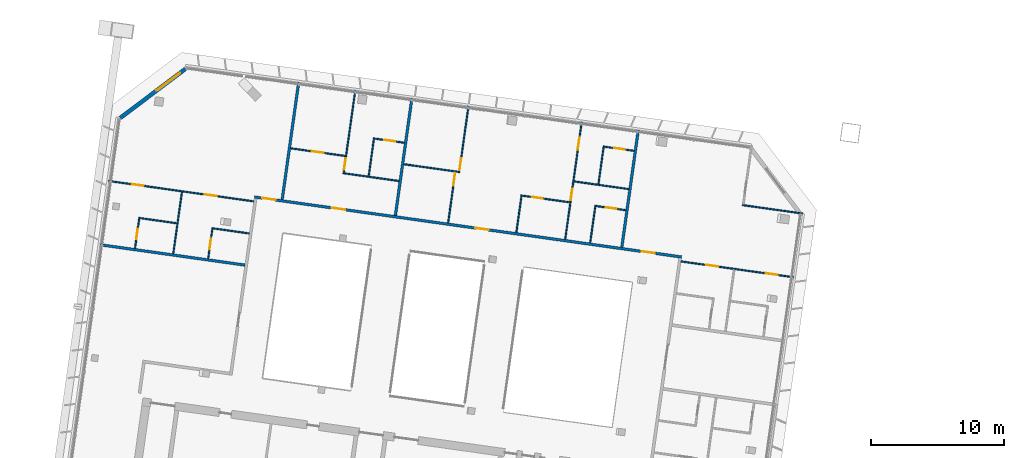
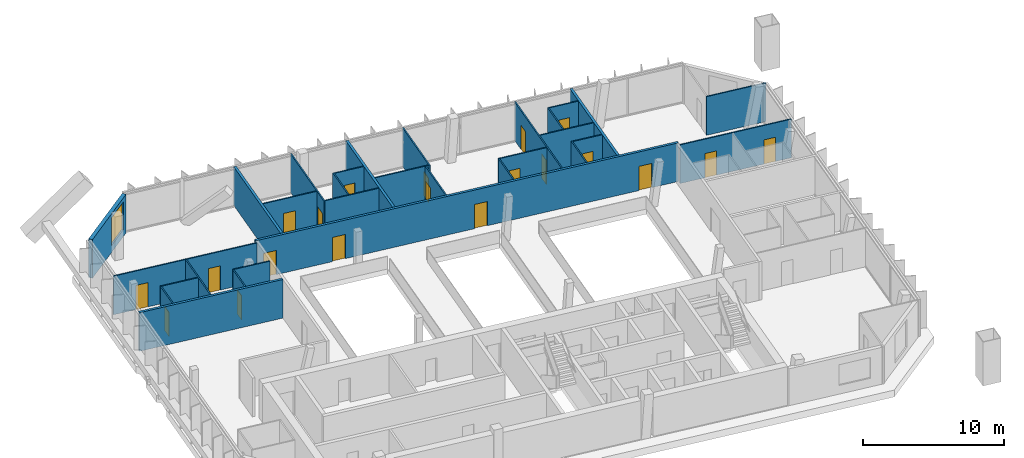
# One storey, part 17 of 26: 30 walls, 20 doors, 1 window, 21 openings.
"""IFC4 building model written with IfcOpenShell, lengths in metres."""

from ifc_helpers import new_model, si_unit, direction, frame, frame_2d, origin, place, context, subcontext, project, spatial, rectangle, extrude, material, layer, layer_set, type_object, element, fill, save


model = new_model("IFC4")

# Units and contexts
model_context = context("Model", 3, precision=1e-05, world=origin(), true_north=direction((0.0, 1.0)))
body_context = subcontext(model_context, "Body", "Model", "MODEL_VIEW")
ifc_project = project(units=[si_unit("LENGTHUNIT", "METRE"), si_unit("AREAUNIT", "SQUARE_METRE"), si_unit("VOLUMEUNIT", "CUBIC_METRE"), si_unit("PLANEANGLEUNIT", "RADIAN"), si_unit("MASSUNIT", "GRAM", prefix="KILO")], contexts=[model_context])

# Site, building, storey
site_placement = place(None, origin())
site = spatial("IfcSite", under=ifc_project, at=site_placement, CompositionType="ELEMENT")
building_placement = place(site_placement, origin())
building = spatial("IfcBuilding", under=site, at=building_placement, Name="Mirante Cascada Hotel Towers", CompositionType="ELEMENT")
storey_placement = place(building_placement, frame((0.0, 0.0, 228.0)))
storey = spatial("IfcBuildingStorey", under=building, at=storey_placement, Name="L54", CompositionType="ELEMENT", Elevation=228.0)

# Wall
ifc_material_1 = material(Name="Fire-rated plasterboard on metal studs")
ifc_layer_1 = layer(ifc_material_1, 0.2)
ifc_layer_set_1 = layer_set([ifc_layer_1], Name="Compartment wall 200 EI 120")
wall_type_1 = type_object("IfcWallType", Name="Compartment wall 200 EI 120", PredefinedType="PARTITIONING", material=ifc_layer_set_1)
wall_1_placement = place(storey_placement, frame((-62.9964, 7.5181, 0.0), z_axis=(0.0, 0.0, 1.0), x_axis=(-0.990267, 0.139181, 0.0)))
element("IfcWall", 1, at=wall_1_placement, inside=storey, type_object=wall_type_1, Name="Wall 1-L54-11", PredefinedType="PARTITIONING", context=body_context, shape_type="SweptSolid", body=[
    extrude(rectangle(XDim=11.0001, YDim=0.2, at=frame_2d((5.5, 0.0))), origin(), (0.0, 0.0, 1.0), 3.35),
])

# Wall, openings, doors
wall_2_placement = place(storey_placement, frame((-62.2774, 12.6346, 0.0), z_axis=(0.0, 0.0, 1.0), x_axis=(0.9902681, -0.1391728, 0.0)))
wall_2 = element("IfcWall", 2, at=wall_2_placement, inside=storey, type_object=wall_type_1, Name="Wall 1-L54-18", PredefinedType="PARTITIONING", context=body_context, shape_type="SweptSolid", body=[
    extrude(rectangle(XDim=32.4, YDim=0.2, at=frame_2d((16.2, 0.0))), origin(), (0.0, 0.0, 1.0), 3.35),
])
opening_1_placement = place(wall_2_placement, frame((29.3753, 0.0, 0.0)))
opening_1 = element("IfcOpeningElement", 3, at=opening_1_placement, cuts=wall_2, Name="Opening D1-L54-08", PredefinedType="OPENING", context=body_context, shape_type="SweptSolid", body=[
    extrude(rectangle(XDim=1.0, YDim=2.1, at=frame_2d((0.5, 1.05))), frame((0.0, 0.1, 0.0), z_axis=(0.0, -1.0, 0.0), x_axis=(1.0, 0.0, 0.0)), (0.0, 0.0, 1.0), 0.2),
])
opening_2_placement = place(wall_2_placement, frame((16.763, 0.0, 0.0)))
opening_2 = element("IfcOpeningElement", 4, at=opening_2_placement, cuts=wall_2, Name="Opening D1-L54-09", PredefinedType="OPENING", context=body_context, shape_type="SweptSolid", body=[
    extrude(rectangle(XDim=1.0, YDim=2.1, at=frame_2d((0.5, 1.05))), frame((0.0, 0.1, 0.0), z_axis=(0.0, -1.0, 0.0), x_axis=(1.0, 0.0, 0.0)), (0.0, 0.0, 1.0), 0.2),
])
opening_3_placement = place(wall_2_placement, frame((5.8815, 0.0, 0.0)))
opening_3 = element("IfcOpeningElement", 5, at=opening_3_placement, cuts=wall_2, Name="Opening D1-L54-10", PredefinedType="OPENING", context=body_context, shape_type="SweptSolid", body=[
    extrude(rectangle(XDim=1.0, YDim=2.1, at=frame_2d((0.5, 1.05))), frame((0.0, 0.1, 0.0), z_axis=(0.0, -1.0, 0.0), x_axis=(1.0, 0.0, 0.0)), (0.0, 0.0, 1.0), 0.2),
])
opening_4_placement = place(wall_2_placement, frame((0.5939, 0.0, 0.0)))
opening_4 = element("IfcOpeningElement", 6, at=opening_4_placement, cuts=wall_2, Name="Opening D1-L54-11", PredefinedType="OPENING", context=body_context, shape_type="SweptSolid", body=[
    extrude(rectangle(XDim=1.0, YDim=2.1, at=frame_2d((0.5, 1.05))), frame((0.0, 0.1, 0.0), z_axis=(0.0, -1.0, 0.0), x_axis=(1.0, 0.0, 0.0)), (0.0, 0.0, 1.0), 0.2),
])
ifc_material_2 = material(Name="Fire-rated timber door leaf", Category="wood")
door_type_1 = type_object("IfcDoorType", Name="Entrance door DG1 1000x2100 EI 60", OperationType="SINGLE_SWING_LEFT", PredefinedType="DOOR", material=ifc_material_2)
door_1_placement = place(opening_1_placement, origin())
door_1 = element("IfcDoor", 7, at=door_1_placement, inside=storey, type_object=door_type_1, Name="Door D1-L54-08", OperationType="SINGLE_SWING_LEFT", OverallHeight=2.1, OverallWidth=1.0, PredefinedType="DOOR", context=body_context, shape_type="SweptSolid", body=[
    extrude(rectangle(XDim=1.0, YDim=2.1, at=frame_2d((0.5, 1.05))), frame((0.0, 0.025, 0.0), z_axis=(0.0, -1.0, 0.0), x_axis=(1.0, 0.0, 0.0)), (0.0, 0.0, 1.0), 0.05),
])
fill(opening_1, door_1)
door_2_placement = place(opening_2_placement, origin())
door_2 = element("IfcDoor", 8, at=door_2_placement, inside=storey, type_object=door_type_1, Name="Door D1-L54-09", OperationType="SINGLE_SWING_LEFT", OverallHeight=2.1, OverallWidth=1.0, PredefinedType="DOOR", context=body_context, shape_type="SweptSolid", body=[
    extrude(rectangle(XDim=1.0, YDim=2.1, at=frame_2d((0.5, 1.05))), frame((0.0, 0.025, 0.0), z_axis=(0.0, -1.0, 0.0), x_axis=(1.0, 0.0, 0.0)), (0.0, 0.0, 1.0), 0.05),
])
fill(opening_2, door_2)
door_3_placement = place(opening_3_placement, origin())
door_3 = element("IfcDoor", 9, at=door_3_placement, inside=storey, type_object=door_type_1, Name="Door D1-L54-10", OperationType="SINGLE_SWING_LEFT", OverallHeight=2.1, OverallWidth=1.0, PredefinedType="DOOR", context=body_context, shape_type="SweptSolid", body=[
    extrude(rectangle(XDim=1.0, YDim=2.1, at=frame_2d((0.5, 1.05))), frame((0.0, 0.025, 0.0), z_axis=(0.0, -1.0, 0.0), x_axis=(1.0, 0.0, 0.0)), (0.0, 0.0, 1.0), 0.05),
])
fill(opening_3, door_3)
door_4_placement = place(opening_4_placement, origin())
door_4 = element("IfcDoor", 10, at=door_4_placement, inside=storey, type_object=door_type_1, Name="Door D1-L54-11", OperationType="SINGLE_SWING_LEFT", OverallHeight=2.1, OverallWidth=1.0, PredefinedType="DOOR", context=body_context, shape_type="SweptSolid", body=[
    extrude(rectangle(XDim=1.0, YDim=2.1, at=frame_2d((0.5, 1.05))), frame((0.0, 0.025, 0.0), z_axis=(0.0, -1.0, 0.0), x_axis=(1.0, 0.0, 0.0)), (0.0, 0.0, 1.0), 0.05),
])
fill(opening_4, door_4)

# Walls
for number, where, z_axis, x_axis, name in (
    (11, (-34.6839, 8.8575, 0.0), (0.0, 0.0, 1.0), (0.1391684, 0.9902687, 0.0), "Wall 1-L54-37"),
    (12, (-50.4534, 20.0613, 0.0), (0.0, 0.0, 1.0), (-0.1391794, -0.9902672, 0.0), "Wall 1-L54-44"),
    (13, (-60.1961, 12.443, 0.0), (0.0, 0.0, 1.0), (0.1391794, 0.9902672, 0.0), "Wall 1-L54-47"),
):
    element("IfcWall", number, at=place(storey_placement, frame(where, z_axis=z_axis, x_axis=x_axis)), inside=storey, type_object=wall_type_1, Name=name, PredefinedType="PARTITIONING", context=body_context, shape_type="SweptSolid", body=[
        extrude(rectangle(XDim=8.9, YDim=0.2, at=frame_2d((4.45, 0.0))), origin(), (0.0, 0.0, 1.0), 3.35),
    ])
ifc_material_3 = material(Name="Plasterboard on metal studs")
ifc_layer_2 = layer(ifc_material_3, 0.1)
ifc_layer_set_2 = layer_set([ifc_layer_2], Name="Partition 100")
wall_type_2 = type_object("IfcWallType", Name="Partition 100", PredefinedType="PARTITIONING", material=ifc_layer_set_2)
wall_3_placement = place(storey_placement, frame((-65.4847, 10.2914, 0.0), z_axis=(0.0, 0.0, 1.0), x_axis=(0.9902704, -0.1391564, 0.0)))
element("IfcWall", 14, at=wall_3_placement, inside=storey, type_object=wall_type_2, Name="Wall 1-L54-14", PredefinedType="PARTITIONING", context=body_context, shape_type="SweptSolid", body=[
    extrude(rectangle(XDim=2.85, YDim=0.1, at=frame_2d((1.425, 0.0))), origin(), (0.0, 0.0, 1.0), 3.35),
])
wall_4_placement = place(storey_placement, frame((-68.1089, 10.6602, 0.0), z_axis=(0.0, 0.0, 1.0), x_axis=(-0.9902683, 0.1391714, 0.0)))
element("IfcWall", 15, at=wall_4_placement, inside=storey, type_object=wall_type_2, Name="Wall 1-L54-15", PredefinedType="PARTITIONING", context=body_context, shape_type="SweptSolid", body=[
    extrude(rectangle(XDim=2.9, YDim=0.1, at=frame_2d((1.45, 0.0))), origin(), (0.0, 0.0, 1.0), 3.35),
])

# Wall, openings, doors
wall_5_placement = place(storey_placement, frame((-30.2391, 7.7953, 0.0), z_axis=(0.0, 0.0, 1.0), x_axis=(0.9902681, -0.139173, 0.0)))
wall_5 = element("IfcWall", 16, at=wall_5_placement, inside=storey, type_object=wall_type_2, Name="Wall 1-L54-16", PredefinedType="PARTITIONING", context=body_context, shape_type="SweptSolid", body=[
    extrude(rectangle(XDim=8.5383, YDim=0.1, at=frame_2d((4.2692, 0.0))), origin(), (0.0, 0.0, 1.0), 3.35),
])
opening_5_placement = place(wall_5_placement, frame((6.4287, 0.0, 0.0)))
opening_5 = element("IfcOpeningElement", 17, at=opening_5_placement, cuts=wall_5, Name="Opening D1-L54-04", PredefinedType="OPENING", context=body_context, shape_type="SweptSolid", body=[
    extrude(rectangle(XDim=0.9, YDim=2.1, at=frame_2d((0.45, 1.05))), frame((0.0, 0.05, 0.0), z_axis=(0.0, -1.0, 0.0), x_axis=(1.0, 0.0, 0.0)), (0.0, 0.0, 1.0), 0.1),
])
opening_6_placement = place(wall_5_placement, frame((1.9096, 0.0, 0.0)))
opening_6 = element("IfcOpeningElement", 18, at=opening_6_placement, cuts=wall_5, Name="Opening D1-L54-05", PredefinedType="OPENING", context=body_context, shape_type="SweptSolid", body=[
    extrude(rectangle(XDim=0.9, YDim=2.1, at=frame_2d((0.45, 1.05))), frame((0.0, 0.05, 0.0), z_axis=(0.0, -1.0, 0.0), x_axis=(1.0, 0.0, 0.0)), (0.0, 0.0, 1.0), 0.1),
])
ifc_material_4 = material(Name="Timber door leaf", Category="wood")
door_type_2 = type_object("IfcDoorType", Name="Room door DG3 900x2100", OperationType="SINGLE_SWING_LEFT", PredefinedType="DOOR", material=ifc_material_4)
door_5_placement = place(opening_5_placement, origin())
door_5 = element("IfcDoor", 19, at=door_5_placement, inside=storey, type_object=door_type_2, Name="Door D1-L54-04", OperationType="SINGLE_SWING_LEFT", OverallHeight=2.1, OverallWidth=0.9, PredefinedType="DOOR", context=body_context, shape_type="SweptSolid", body=[
    extrude(rectangle(XDim=0.9, YDim=2.1, at=frame_2d((0.45, 1.05))), frame((0.0, 0.025, 0.0), z_axis=(0.0, -1.0, 0.0), x_axis=(1.0, 0.0, 0.0)), (0.0, 0.0, 1.0), 0.05),
])
fill(opening_5, door_5)
door_6_placement = place(opening_6_placement, origin())
door_6 = element("IfcDoor", 20, at=door_6_placement, inside=storey, type_object=door_type_2, Name="Door D1-L54-05", OperationType="SINGLE_SWING_LEFT", OverallHeight=2.1, OverallWidth=0.9, PredefinedType="DOOR", context=body_context, shape_type="SweptSolid", body=[
    extrude(rectangle(XDim=0.9, YDim=2.1, at=frame_2d((0.45, 1.05))), frame((0.0, 0.025, 0.0), z_axis=(0.0, -1.0, 0.0), x_axis=(1.0, 0.0, 0.0)), (0.0, 0.0, 1.0), 0.05),
])
fill(opening_6, door_6)

wall_6_placement = place(storey_placement, frame((-62.3238, 12.3045, 0.0), z_axis=(0.0, 0.0, 1.0), x_axis=(-0.990268, 0.1391733, 0.0)))
wall_6 = element("IfcWall", 21, at=wall_6_placement, inside=storey, type_object=wall_type_2, Name="Wall 1-L54-17", PredefinedType="PARTITIONING", context=body_context, shape_type="SweptSolid", body=[
    extrude(rectangle(XDim=11.0, YDim=0.1, at=frame_2d((5.5, 0.0))), origin(), (0.0, 0.0, 1.0), 3.35),
])
opening_7_placement = place(wall_6_placement, frame((2.825, 0.0, 0.0)))
opening_7 = element("IfcOpeningElement", 22, at=opening_7_placement, cuts=wall_6, Name="Opening D1-L54-06", PredefinedType="OPENING", context=body_context, shape_type="SweptSolid", body=[
    extrude(rectangle(XDim=0.9, YDim=2.1, at=frame_2d((0.45, 1.05))), frame((0.0, 0.05, 0.0), z_axis=(0.0, -1.0, 0.0), x_axis=(1.0, 0.0, 0.0)), (0.0, 0.0, 1.0), 0.1),
])
opening_8_placement = place(wall_6_placement, frame((8.375, 0.0, 0.0)))
opening_8 = element("IfcOpeningElement", 23, at=opening_8_placement, cuts=wall_6, Name="Opening D1-L54-07", PredefinedType="OPENING", context=body_context, shape_type="SweptSolid", body=[
    extrude(rectangle(XDim=0.9, YDim=2.1, at=frame_2d((0.45, 1.05))), frame((0.0, 0.05, 0.0), z_axis=(0.0, -1.0, 0.0), x_axis=(1.0, 0.0, 0.0)), (0.0, 0.0, 1.0), 0.1),
])
door_7_placement = place(opening_7_placement, frame((0.9, 0.0, 0.0), z_axis=(0.0, 0.0, 1.0), x_axis=(-1.0, 0.0, 0.0)))
door_7 = element("IfcDoor", 24, at=door_7_placement, inside=storey, type_object=door_type_2, Name="Door D1-L54-06", OperationType="SINGLE_SWING_RIGHT", OverallHeight=2.1, OverallWidth=0.9, PredefinedType="DOOR", context=body_context, shape_type="SweptSolid", body=[
    extrude(rectangle(XDim=0.9, YDim=2.1, at=frame_2d((0.45, 1.05))), frame((0.0, 0.025, 0.0), z_axis=(0.0, -1.0, 0.0), x_axis=(1.0, 0.0, 0.0)), (0.0, 0.0, 1.0), 0.05),
])
fill(opening_7, door_7)
door_8_placement = place(opening_8_placement, frame((0.9, 0.0, 0.0), z_axis=(0.0, 0.0, 1.0), x_axis=(-1.0, 0.0, 0.0)))
door_8 = element("IfcDoor", 25, at=door_8_placement, inside=storey, type_object=door_type_2, Name="Door D1-L54-07", OperationType="SINGLE_SWING_RIGHT", OverallHeight=2.1, OverallWidth=0.9, PredefinedType="DOOR", context=body_context, shape_type="SweptSolid", body=[
    extrude(rectangle(XDim=0.9, YDim=2.1, at=frame_2d((0.45, 1.05))), frame((0.0, 0.025, 0.0), z_axis=(0.0, -1.0, 0.0), x_axis=(1.0, 0.0, 0.0)), (0.0, 0.0, 1.0), 0.05),
])
fill(opening_8, door_8)

# Wall
wall_7_placement = place(storey_placement, frame((-51.4292, 13.8365, 0.0), z_axis=(0.0, 0.0, 1.0), x_axis=(-0.9902684, 0.1391709, 0.0)))
element("IfcWall", 26, at=wall_7_placement, inside=storey, type_object=wall_type_2, Name="Wall 1-L54-19", PredefinedType="PARTITIONING", context=body_context, shape_type="SweptSolid", body=[
    extrude(rectangle(XDim=4.1438, YDim=0.1, at=frame_2d((2.0719, 0.0))), origin(), (0.0, 0.0, 1.0), 3.35),
])

# Wall, opening, door
wall_8_placement = place(storey_placement, frame((-36.6214, 11.9573, 0.0), z_axis=(0.0, 0.0, 1.0), x_axis=(0.9902713, -0.13915, 0.0)))
wall_8 = element("IfcWall", 27, at=wall_8_placement, inside=storey, type_object=wall_type_2, Name="Wall 1-L54-20", PredefinedType="PARTITIONING", context=body_context, shape_type="SweptSolid", body=[
    extrude(rectangle(XDim=2.2501, YDim=0.1, at=frame_2d((1.1251, 0.0))), origin(), (0.0, 0.0, 1.0), 3.35),
])
opening_9_placement = place(wall_8_placement, frame((0.75, 0.0, 0.0)))
opening_9 = element("IfcOpeningElement", 28, at=opening_9_placement, cuts=wall_8, Name="Opening D1-L54-12", PredefinedType="OPENING", context=body_context, shape_type="SweptSolid", body=[
    extrude(rectangle(XDim=0.8, YDim=2.1, at=frame_2d((0.4, 1.05))), frame((0.0, 0.05, 0.0), z_axis=(0.0, -1.0, 0.0), x_axis=(1.0, 0.0, 0.0)), (0.0, 0.0, 1.0), 0.1),
])
ifc_material_5 = material(Name="Timber door leaf", Category="wood")
door_type_3 = type_object("IfcDoorType", Name="Bathroom door DG4 800x2100", OperationType="SINGLE_SWING_LEFT", PredefinedType="DOOR", material=ifc_material_5)
door_9_placement = place(opening_9_placement, frame((0.8, 0.0, 0.0), z_axis=(0.0, 0.0, 1.0), x_axis=(-1.0, 0.0, 0.0)))
door_9 = element("IfcDoor", 29, at=door_9_placement, inside=storey, type_object=door_type_3, Name="Door D1-L54-12", OperationType="SINGLE_SWING_RIGHT", OverallHeight=2.1, OverallWidth=0.8, PredefinedType="DOOR", context=body_context, shape_type="SweptSolid", body=[
    extrude(rectangle(XDim=0.8, YDim=2.1, at=frame_2d((0.4, 1.05))), frame((0.0, 0.025, 0.0), z_axis=(0.0, -1.0, 0.0), x_axis=(1.0, 0.0, 0.0)), (0.0, 0.0, 1.0), 0.05),
])
fill(opening_9, door_9)

wall_9_placement = place(storey_placement, frame((-38.5957, 12.2348, 0.0), z_axis=(0.0, 0.0, 1.0), x_axis=(-0.9902686, 0.1391697, 0.0)))
wall_9 = element("IfcWall", 30, at=wall_9_placement, inside=storey, type_object=wall_type_2, Name="Wall 1-L54-21", PredefinedType="PARTITIONING", context=body_context, shape_type="SweptSolid", body=[
    extrude(rectangle(XDim=3.7063, YDim=0.1, at=frame_2d((1.8532, 0.0))), origin(), (0.0, 0.0, 1.0), 3.35),
])
opening_10_placement = place(wall_9_placement, frame((2.0562, 0.0, 0.0)))
opening_10 = element("IfcOpeningElement", 31, at=opening_10_placement, cuts=wall_9, Name="Opening D1-L54-13", PredefinedType="OPENING", context=body_context, shape_type="SweptSolid", body=[
    extrude(rectangle(XDim=0.8, YDim=2.1, at=frame_2d((0.4, 1.05))), frame((0.0, 0.05, 0.0), z_axis=(0.0, -1.0, 0.0), x_axis=(1.0, 0.0, 0.0)), (0.0, 0.0, 1.0), 0.1),
])
door_10_placement = place(opening_10_placement, frame((0.8, 0.0, 0.0), z_axis=(0.0, 0.0, 1.0), x_axis=(-1.0, 0.0, 0.0)))
door_10 = element("IfcDoor", 32, at=door_10_placement, inside=storey, type_object=door_type_3, Name="Door D1-L54-13", OperationType="SINGLE_SWING_RIGHT", OverallHeight=2.1, OverallWidth=0.8, PredefinedType="DOOR", context=body_context, shape_type="SweptSolid", body=[
    extrude(rectangle(XDim=0.8, YDim=2.1, at=frame_2d((0.4, 1.05))), frame((0.0, 0.025, 0.0), z_axis=(0.0, -1.0, 0.0), x_axis=(1.0, 0.0, 0.0)), (0.0, 0.0, 1.0), 0.05),
])
fill(opening_10, door_10)

# Wall
wall_10_placement = place(storey_placement, frame((-51.0503, 15.096, 0.0), z_axis=(0.0, 0.0, 1.0), x_axis=(0.9902684, -0.1391709, 0.0)))
element("IfcWall", 33, at=wall_10_placement, inside=storey, type_object=wall_type_2, Name="Wall 1-L54-22", PredefinedType="PARTITIONING", context=body_context, shape_type="SweptSolid", body=[
    extrude(rectangle(XDim=4.1438, YDim=0.1, at=frame_2d((2.0719, 0.0))), origin(), (0.0, 0.0, 1.0), 3.35),
])

# Wall, opening, door
wall_11_placement = place(storey_placement, frame((-55.4508, 15.7145, 0.0), z_axis=(0.0, 0.0, 1.0), x_axis=(-0.9902684, 0.1391709, 0.0)))
wall_11 = element("IfcWall", 34, at=wall_11_placement, inside=storey, type_object=wall_type_2, Name="Wall 1-L54-23", PredefinedType="PARTITIONING", context=body_context, shape_type="SweptSolid", body=[
    extrude(rectangle(XDim=4.1438, YDim=0.1, at=frame_2d((2.0719, 0.0))), origin(), (0.0, 0.0, 1.0), 3.35),
])
opening_11_placement = place(wall_11_placement, frame((1.6469, 0.0, 0.0)))
opening_11 = element("IfcOpeningElement", 35, at=opening_11_placement, cuts=wall_11, Name="Opening D1-L54-14", PredefinedType="OPENING", context=body_context, shape_type="SweptSolid", body=[
    extrude(rectangle(XDim=0.9, YDim=2.1, at=frame_2d((0.45, 1.05))), frame((0.0, 0.05, 0.0), z_axis=(0.0, -1.0, 0.0), x_axis=(1.0, 0.0, 0.0)), (0.0, 0.0, 1.0), 0.1),
])
door_11_placement = place(opening_11_placement, origin())
door_11 = element("IfcDoor", 36, at=door_11_placement, inside=storey, type_object=door_type_2, Name="Door D1-L54-14", OperationType="SINGLE_SWING_LEFT", OverallHeight=2.1, OverallWidth=0.9, PredefinedType="DOOR", context=body_context, shape_type="SweptSolid", body=[
    extrude(rectangle(XDim=0.9, YDim=2.1, at=frame_2d((0.45, 1.05))), frame((0.0, 0.025, 0.0), z_axis=(0.0, -1.0, 0.0), x_axis=(1.0, 0.0, 0.0)), (0.0, 0.0, 1.0), 0.05),
])
fill(opening_11, door_11)

# Walls
wall_12_placement = place(storey_placement, frame((-25.6169, 12.0265, 0.0), z_axis=(0.0, 0.0, 1.0), x_axis=(0.9902691, -0.1391656, 0.0)))
element("IfcWall", 37, at=wall_12_placement, inside=storey, type_object=wall_type_2, Name="Wall 1-L54-24", PredefinedType="PARTITIONING", context=body_context, shape_type="SweptSolid", body=[
    extrude(rectangle(XDim=4.55, YDim=0.1, at=frame_2d((2.275, 0.0))), origin(), (0.0, 0.0, 1.0), 3.35),
])
wall_13_placement = place(storey_placement, frame((-34.1706, 13.2286, 0.0), z_axis=(0.0, 0.0, 1.0), x_axis=(-0.9902679, 0.1391742, 0.0)))
element("IfcWall", 38, at=wall_13_placement, inside=storey, type_object=wall_type_2, Name="Wall 1-L54-25", PredefinedType="PARTITIONING", context=body_context, shape_type="SweptSolid", body=[
    extrude(rectangle(XDim=4.1437, YDim=0.1, at=frame_2d((2.0718, 0.0))), origin(), (0.0, 0.0, 1.0), 3.35),
])

# Wall, opening, door
wall_14_placement = place(storey_placement, frame((-53.2537, 17.0214, 0.0), z_axis=(0.0, 0.0, 1.0), x_axis=(0.9902705, -0.1391561, 0.0)))
wall_14 = element("IfcWall", 39, at=wall_14_placement, inside=storey, type_object=wall_type_2, Name="Wall 1-L54-26", PredefinedType="PARTITIONING", context=body_context, shape_type="SweptSolid", body=[
    extrude(rectangle(XDim=2.25, YDim=0.1, at=frame_2d((1.125, 0.0))), origin(), (0.0, 0.0, 1.0), 3.35),
])
opening_12_placement = place(wall_14_placement, frame((0.75, 0.0, 0.0)))
opening_12 = element("IfcOpeningElement", 40, at=opening_12_placement, cuts=wall_14, Name="Opening D1-L54-15", PredefinedType="OPENING", context=body_context, shape_type="SweptSolid", body=[
    extrude(rectangle(XDim=0.8, YDim=2.1, at=frame_2d((0.4, 1.05))), frame((0.0, 0.05, 0.0), z_axis=(0.0, -1.0, 0.0), x_axis=(1.0, 0.0, 0.0)), (0.0, 0.0, 1.0), 0.1),
])
door_12_placement = place(opening_12_placement, origin())
door_12 = element("IfcDoor", 41, at=door_12_placement, inside=storey, type_object=door_type_3, Name="Door D1-L54-15", OperationType="SINGLE_SWING_LEFT", OverallHeight=2.1, OverallWidth=0.8, PredefinedType="DOOR", context=body_context, shape_type="SweptSolid", body=[
    extrude(rectangle(XDim=0.8, YDim=2.1, at=frame_2d((0.4, 1.05))), frame((0.0, 0.025, 0.0), z_axis=(0.0, -1.0, 0.0), x_axis=(1.0, 0.0, 0.0)), (0.0, 0.0, 1.0), 0.05),
])
fill(opening_12, door_12)

wall_15_placement = place(storey_placement, frame((-33.767, 16.1004, 0.0), z_axis=(0.0, 0.0, 1.0), x_axis=(-0.9902643, 0.1391997, 0.0)))
wall_15 = element("IfcWall", 42, at=wall_15_placement, inside=storey, type_object=wall_type_2, Name="Wall 1-L54-27", PredefinedType="PARTITIONING", context=body_context, shape_type="SweptSolid", body=[
    extrude(rectangle(XDim=2.25, YDim=0.1, at=frame_2d((1.125, 0.0))), origin(), (0.0, 0.0, 1.0), 3.35),
])
opening_13_placement = place(wall_15_placement, frame((0.7, 0.0, 0.0)))
opening_13 = element("IfcOpeningElement", 43, at=opening_13_placement, cuts=wall_15, Name="Opening D1-L54-16", PredefinedType="OPENING", context=body_context, shape_type="SweptSolid", body=[
    extrude(rectangle(XDim=0.8, YDim=2.1, at=frame_2d((0.4, 1.05))), frame((0.0, 0.05, 0.0), z_axis=(0.0, -1.0, 0.0), x_axis=(1.0, 0.0, 0.0)), (0.0, 0.0, 1.0), 0.1),
])
door_13_placement = place(opening_13_placement, origin())
door_13 = element("IfcDoor", 44, at=door_13_placement, inside=storey, type_object=door_type_3, Name="Door D1-L54-16", OperationType="SINGLE_SWING_LEFT", OverallHeight=2.1, OverallWidth=0.8, PredefinedType="DOOR", context=body_context, shape_type="SweptSolid", body=[
    extrude(rectangle(XDim=0.8, YDim=2.1, at=frame_2d((0.4, 1.05))), frame((0.0, 0.025, 0.0), z_axis=(0.0, -1.0, 0.0), x_axis=(1.0, 0.0, 0.0)), (0.0, 0.0, 1.0), 0.05),
])
fill(opening_13, door_13)

# Walls
wall_16_placement = place(storey_placement, frame((-36.6639, 12.0138, 0.0), z_axis=(0.0, 0.0, 1.0), x_axis=(-0.1391613, -0.9902697, 0.0)))
element("IfcWall", 45, at=wall_16_placement, inside=storey, type_object=wall_type_2, Name="Wall 1-L54-38", PredefinedType="PARTITIONING", context=body_context, shape_type="SweptSolid", body=[
    extrude(rectangle(XDim=2.8499, YDim=0.1, at=frame_2d((1.425, 0.0))), origin(), (0.0, 0.0, 1.0), 3.35),
])
wall_17_placement = place(storey_placement, frame((-36.4412, 13.5982, 0.0), z_axis=(0.0, 0.0, 1.0), x_axis=(0.1391714, 0.9902683, 0.0)))
element("IfcWall", 46, at=wall_17_placement, inside=storey, type_object=wall_type_2, Name="Wall 1-L54-39", PredefinedType="PARTITIONING", context=body_context, shape_type="SweptSolid", body=[
    extrude(rectangle(XDim=2.9, YDim=0.1, at=frame_2d((1.45, 0.0))), origin(), (0.0, 0.0, 1.0), 3.35),
])

# Wall, openings, doors
wall_18_placement = place(storey_placement, frame((-37.6973, 18.2685, 0.0), z_axis=(0.0, 0.0, 1.0), x_axis=(-0.1391684, -0.9902687, 0.0)))
wall_18 = element("IfcWall", 47, at=wall_18_placement, inside=storey, type_object=wall_type_2, Name="Wall 1-L54-40", PredefinedType="PARTITIONING", context=body_context, shape_type="SweptSolid", body=[
    extrude(rectangle(XDim=8.9, YDim=0.1, at=frame_2d((4.45, 0.0))), origin(), (0.0, 0.0, 1.0), 3.35),
])
opening_14_placement = place(wall_18_placement, frame((5.05, 0.0, 0.0)))
opening_14 = element("IfcOpeningElement", 48, at=opening_14_placement, cuts=wall_18, Name="Opening D1-L54-24", PredefinedType="OPENING", context=body_context, shape_type="SweptSolid", body=[
    extrude(rectangle(XDim=0.9, YDim=2.1, at=frame_2d((0.45, 1.05))), frame((0.0, 0.05, 0.0), z_axis=(0.0, -1.0, 0.0), x_axis=(1.0, 0.0, 0.0)), (0.0, 0.0, 1.0), 0.1),
])
opening_15_placement = place(wall_18_placement, frame((1.2, 0.0, 0.0)))
opening_15 = element("IfcOpeningElement", 49, at=opening_15_placement, cuts=wall_18, Name="Opening D1-L54-25", PredefinedType="OPENING", context=body_context, shape_type="SweptSolid", body=[
    extrude(rectangle(XDim=0.9, YDim=2.1, at=frame_2d((0.45, 1.05))), frame((0.0, 0.05, 0.0), z_axis=(0.0, -1.0, 0.0), x_axis=(1.0, 0.0, 0.0)), (0.0, 0.0, 1.0), 0.1),
])
door_14_placement = place(opening_14_placement, frame((0.9, 0.0, 0.0), z_axis=(0.0, 0.0, 1.0), x_axis=(-1.0, 0.0, 0.0)))
door_14 = element("IfcDoor", 50, at=door_14_placement, inside=storey, type_object=door_type_2, Name="Door D1-L54-24", OperationType="SINGLE_SWING_RIGHT", OverallHeight=2.1, OverallWidth=0.9, PredefinedType="DOOR", context=body_context, shape_type="SweptSolid", body=[
    extrude(rectangle(XDim=0.9, YDim=2.1, at=frame_2d((0.45, 1.05))), frame((0.0, 0.025, 0.0), z_axis=(0.0, -1.0, 0.0), x_axis=(1.0, 0.0, 0.0)), (0.0, 0.0, 1.0), 0.05),
])
fill(opening_14, door_14)
door_15_placement = place(opening_15_placement, frame((0.9, 0.0, 0.0), z_axis=(0.0, 0.0, 1.0), x_axis=(-1.0, 0.0, 0.0)))
door_15 = element("IfcDoor", 51, at=door_15_placement, inside=storey, type_object=door_type_2, Name="Door D1-L54-25", OperationType="SINGLE_SWING_RIGHT", OverallHeight=2.1, OverallWidth=0.9, PredefinedType="DOOR", context=body_context, shape_type="SweptSolid", body=[
    extrude(rectangle(XDim=0.9, YDim=2.1, at=frame_2d((0.45, 1.05))), frame((0.0, 0.025, 0.0), z_axis=(0.0, -1.0, 0.0), x_axis=(1.0, 0.0, 0.0)), (0.0, 0.0, 1.0), 0.05),
])
fill(opening_15, door_15)

# Wall
wall_19_placement = place(storey_placement, frame((-42.6061, 9.9709, 0.0), z_axis=(0.0, 0.0, 1.0), x_axis=(0.1391963, 0.9902648, 0.0)))
element("IfcWall", 52, at=wall_19_placement, inside=storey, type_object=wall_type_2, Name="Wall 1-L54-41", PredefinedType="PARTITIONING", context=body_context, shape_type="SweptSolid", body=[
    extrude(rectangle(XDim=2.7501, YDim=0.1, at=frame_2d((1.3751, 0.0))), origin(), (0.0, 0.0, 1.0), 3.35),
])

# Wall, opening, door
wall_20_placement = place(storey_placement, frame((-46.2014, 19.4637, 0.0), z_axis=(0.0, 0.0, 1.0), x_axis=(-0.1391671, -0.9902689, 0.0)))
wall_20 = element("IfcWall", 53, at=wall_20_placement, inside=storey, type_object=wall_type_2, Name="Wall 1-L54-42", PredefinedType="PARTITIONING", context=body_context, shape_type="SweptSolid", body=[
    extrude(rectangle(XDim=5.05, YDim=0.1, at=frame_2d((2.525, 0.0))), origin(), (0.0, 0.0, 1.0), 3.35),
])
opening_16_placement = place(wall_20_placement, frame((3.95, 0.0, 0.0)))
opening_16 = element("IfcOpeningElement", 54, at=opening_16_placement, cuts=wall_20, Name="Opening D1-L54-26", PredefinedType="OPENING", context=body_context, shape_type="SweptSolid", body=[
    extrude(rectangle(XDim=0.9, YDim=2.1, at=frame_2d((0.45, 1.05))), frame((0.0, 0.05, 0.0), z_axis=(0.0, -1.0, 0.0), x_axis=(1.0, 0.0, 0.0)), (0.0, 0.0, 1.0), 0.1),
])
door_16_placement = place(opening_16_placement, origin())
door_16 = element("IfcDoor", 55, at=door_16_placement, inside=storey, type_object=door_type_2, Name="Door D1-L54-26", OperationType="SINGLE_SWING_LEFT", OverallHeight=2.1, OverallWidth=0.9, PredefinedType="DOOR", context=body_context, shape_type="SweptSolid", body=[
    extrude(rectangle(XDim=0.9, YDim=2.1, at=frame_2d((0.45, 1.05))), frame((0.0, 0.025, 0.0), z_axis=(0.0, -1.0, 0.0), x_axis=(1.0, 0.0, 0.0)), (0.0, 0.0, 1.0), 0.05),
])
fill(opening_16, door_16)

wall_21_placement = place(storey_placement, frame((-47.731, 10.6912, 0.0), z_axis=(0.0, 0.0, 1.0), x_axis=(0.1391701, 0.9902685, 0.0)))
wall_21 = element("IfcWall", 56, at=wall_21_placement, inside=storey, type_object=wall_type_2, Name="Wall 1-L54-43", PredefinedType="PARTITIONING", context=body_context, shape_type="SweptSolid", body=[
    extrude(rectangle(XDim=3.85, YDim=0.1, at=frame_2d((1.925, 0.0))), origin(), (0.0, 0.0, 1.0), 3.35),
])
opening_17_placement = place(wall_21_placement, frame((2.85, 0.0, 0.0)))
opening_17 = element("IfcOpeningElement", 57, at=opening_17_placement, cuts=wall_21, Name="Opening D1-L54-27", PredefinedType="OPENING", context=body_context, shape_type="SweptSolid", body=[
    extrude(rectangle(XDim=0.9, YDim=2.1, at=frame_2d((0.45, 1.05))), frame((0.0, 0.05, 0.0), z_axis=(0.0, -1.0, 0.0), x_axis=(1.0, 0.0, 0.0)), (0.0, 0.0, 1.0), 0.1),
])
door_17_placement = place(opening_17_placement, frame((0.9, 0.0, 0.0), z_axis=(0.0, 0.0, 1.0), x_axis=(-1.0, 0.0, 0.0)))
door_17 = element("IfcDoor", 58, at=door_17_placement, inside=storey, type_object=door_type_2, Name="Door D1-L54-27", OperationType="SINGLE_SWING_RIGHT", OverallHeight=2.1, OverallWidth=0.9, PredefinedType="DOOR", context=body_context, shape_type="SweptSolid", body=[
    extrude(rectangle(XDim=0.9, YDim=2.1, at=frame_2d((0.45, 1.05))), frame((0.0, 0.025, 0.0), z_axis=(0.0, -1.0, 0.0), x_axis=(1.0, 0.0, 0.0)), (0.0, 0.0, 1.0), 0.05),
])
fill(opening_17, door_17)

# Wall
wall_22_placement = place(storey_placement, frame((-53.6999, 14.2061, 0.0), z_axis=(0.0, 0.0, 1.0), x_axis=(0.1391714, 0.9902683, 0.0)))
element("IfcWall", 59, at=wall_22_placement, inside=storey, type_object=wall_type_2, Name="Wall 1-L54-45", PredefinedType="PARTITIONING", context=body_context, shape_type="SweptSolid", body=[
    extrude(rectangle(XDim=2.9, YDim=0.1, at=frame_2d((1.45, 0.0))), origin(), (0.0, 0.0, 1.0), 3.35),
])

# Wall, opening, door
wall_23_placement = place(storey_placement, frame((-54.7054, 20.6588, 0.0), z_axis=(0.0, 0.0, 1.0), x_axis=(-0.139181, -0.990267, 0.0)))
wall_23 = element("IfcWall", 60, at=wall_23_placement, inside=storey, type_object=wall_type_2, Name="Wall 1-L54-46", PredefinedType="PARTITIONING", context=body_context, shape_type="SweptSolid", body=[
    extrude(rectangle(XDim=6.35, YDim=0.1, at=frame_2d((3.175, 0.0))), origin(), (0.0, 0.0, 1.0), 3.35),
])
opening_18_placement = place(wall_23_placement, frame((5.15, 0.0, 0.0)))
opening_18 = element("IfcOpeningElement", 61, at=opening_18_placement, cuts=wall_23, Name="Opening D1-L54-28", PredefinedType="OPENING", context=body_context, shape_type="SweptSolid", body=[
    extrude(rectangle(XDim=0.9, YDim=2.1, at=frame_2d((0.45, 1.05))), frame((0.0, 0.05, 0.0), z_axis=(0.0, -1.0, 0.0), x_axis=(1.0, 0.0, 0.0)), (0.0, 0.0, 1.0), 0.1),
])
door_18_placement = place(opening_18_placement, origin())
door_18 = element("IfcDoor", 62, at=door_18_placement, inside=storey, type_object=door_type_2, Name="Door D1-L54-28", OperationType="SINGLE_SWING_LEFT", OverallHeight=2.1, OverallWidth=0.9, PredefinedType="DOOR", context=body_context, shape_type="SweptSolid", body=[
    extrude(rectangle(XDim=0.9, YDim=2.1, at=frame_2d((0.45, 1.05))), frame((0.0, 0.025, 0.0), z_axis=(0.0, -1.0, 0.0), x_axis=(1.0, 0.0, 0.0)), (0.0, 0.0, 1.0), 0.05),
])
fill(opening_18, door_18)

wall_24_placement = place(storey_placement, frame((-65.7553, 8.0069, 0.0), z_axis=(0.0, 0.0, 1.0), x_axis=(0.1391997, 0.9902643, 0.0)))
wall_24 = element("IfcWall", 63, at=wall_24_placement, inside=storey, type_object=wall_type_2, Name="Wall 1-L54-49", PredefinedType="PARTITIONING", context=body_context, shape_type="SweptSolid", body=[
    extrude(rectangle(XDim=2.25, YDim=0.1, at=frame_2d((1.125, 0.0))), origin(), (0.0, 0.0, 1.0), 3.35),
])
opening_19_placement = place(wall_24_placement, frame((0.7, 0.0, 0.0)))
opening_19 = element("IfcOpeningElement", 64, at=opening_19_placement, cuts=wall_24, Name="Opening D1-L54-30", PredefinedType="OPENING", context=body_context, shape_type="SweptSolid", body=[
    extrude(rectangle(XDim=0.8, YDim=2.1, at=frame_2d((0.4, 1.05))), frame((0.0, 0.05, 0.0), z_axis=(0.0, -1.0, 0.0), x_axis=(1.0, 0.0, 0.0)), (0.0, 0.0, 1.0), 0.1),
])
door_19_placement = place(opening_19_placement, frame((0.8, 0.0, 0.0), z_axis=(0.0, 0.0, 1.0), x_axis=(-1.0, 0.0, 0.0)))
door_19 = element("IfcDoor", 65, at=door_19_placement, inside=storey, type_object=door_type_3, Name="Door D1-L54-30", OperationType="SINGLE_SWING_RIGHT", OverallHeight=2.1, OverallWidth=0.8, PredefinedType="DOOR", context=body_context, shape_type="SweptSolid", body=[
    extrude(rectangle(XDim=0.8, YDim=2.1, at=frame_2d((0.4, 1.05))), frame((0.0, 0.025, 0.0), z_axis=(0.0, -1.0, 0.0), x_axis=(1.0, 0.0, 0.0)), (0.0, 0.0, 1.0), 0.05),
])
fill(opening_19, door_19)

# Wall
wall_25_placement = place(storey_placement, frame((-67.7277, 13.0135, 0.0), z_axis=(0.0, 0.0, 1.0), x_axis=(-0.139173, -0.9902681, 0.0)))
element("IfcWall", 66, at=wall_25_placement, inside=storey, type_object=wall_type_2, Name="Wall 1-L54-50", PredefinedType="PARTITIONING", context=body_context, shape_type="SweptSolid", body=[
    extrude(rectangle(XDim=4.6834, YDim=0.1, at=frame_2d((2.3417, 0.0))), origin(), (0.0, 0.0, 1.0), 3.35),
])

# Wall, opening, door
wall_26_placement = place(storey_placement, frame((-71.2513, 8.7793, 0.0), z_axis=(0.0, 0.0, 1.0), x_axis=(0.1391997, 0.9902643, 0.0)))
wall_26 = element("IfcWall", 67, at=wall_26_placement, inside=storey, type_object=wall_type_2, Name="Wall 1-L54-53", PredefinedType="PARTITIONING", context=body_context, shape_type="SweptSolid", body=[
    extrude(rectangle(XDim=2.25, YDim=0.1, at=frame_2d((1.125, 0.0))), origin(), (0.0, 0.0, 1.0), 3.35),
])
opening_20_placement = place(wall_26_placement, frame((0.7, 0.0, 0.0)))
opening_20 = element("IfcOpeningElement", 68, at=opening_20_placement, cuts=wall_26, Name="Opening D1-L54-31", PredefinedType="OPENING", context=body_context, shape_type="SweptSolid", body=[
    extrude(rectangle(XDim=0.8, YDim=2.1, at=frame_2d((0.4, 1.05))), frame((0.0, 0.05, 0.0), z_axis=(0.0, -1.0, 0.0), x_axis=(1.0, 0.0, 0.0)), (0.0, 0.0, 1.0), 0.1),
])
door_20_placement = place(opening_20_placement, frame((0.8, 0.0, 0.0), z_axis=(0.0, 0.0, 1.0), x_axis=(-1.0, 0.0, 0.0)))
door_20 = element("IfcDoor", 69, at=door_20_placement, inside=storey, type_object=door_type_3, Name="Door D1-L54-31", OperationType="SINGLE_SWING_RIGHT", OverallHeight=2.1, OverallWidth=0.8, PredefinedType="DOOR", context=body_context, shape_type="SweptSolid", body=[
    extrude(rectangle(XDim=0.8, YDim=2.1, at=frame_2d((0.4, 1.05))), frame((0.0, 0.025, 0.0), z_axis=(0.0, -1.0, 0.0), x_axis=(1.0, 0.0, 0.0)), (0.0, 0.0, 1.0), 0.05),
])
fill(opening_20, door_20)

# Wall, opening, window
ifc_material_6 = material(Name="Precast concrete C40/50", Category="concrete")
ifc_layer_3 = layer(ifc_material_6, 0.3)
ifc_layer_set_3 = layer_set([ifc_layer_3], Name="Precast concrete C40/50 cladding wall 300")
wall_type_3 = type_object("IfcWallType", Name="Precast concrete C40/50 cladding wall 300", PredefinedType="STANDARD", material=ifc_layer_set_3)
wall_27_placement = place(storey_placement, frame((-72.3546, 18.5766, 0.0), z_axis=(0.0, 0.0, 1.0), x_axis=(0.7986362, 0.6018141, 0.0)))
wall_27 = element("IfcWall", 70, at=wall_27_placement, inside=storey, type_object=wall_type_3, Name="Corner cladding wall T1 L54 outer front", PredefinedType="STANDARD", context=body_context, shape_type="SweptSolid", body=[
    extrude(rectangle(XDim=6.1157, YDim=0.3, at=frame_2d((3.0578, 0.0))), origin(), (0.0, 0.0, 1.0), 3.35),
])
opening_21_placement = place(wall_27_placement, frame((3.4182, 0.0, 0.6)))
opening_21 = element("IfcOpeningElement", 71, at=opening_21_placement, cuts=wall_27, Name="Opening W1-54-03", PredefinedType="OPENING", context=body_context, shape_type="SweptSolid", body=[
    extrude(rectangle(XDim=2.2, YDim=2.4, at=frame_2d((1.1, 1.2))), frame((0.0, 0.15, 0.0), z_axis=(0.0, -1.0, 0.0), x_axis=(1.0, 0.0, 0.0)), (0.0, 0.0, 1.0), 0.3),
])
ifc_material_7 = material(Name="Aluminium frame with clear double glazing", Category="aluminium")
window_type = type_object("IfcWindowType", Name="Corner suite window 2200x2400", PartitioningType="DOUBLE_PANEL_VERTICAL", PredefinedType="WINDOW", material=ifc_material_7)
window_placement = place(opening_21_placement, origin())
window = element("IfcWindow", 72, at=window_placement, inside=storey, type_object=window_type, Name="Window W1-54-03", OverallHeight=2.4, OverallWidth=2.2, PartitioningType="SINGLE_PANEL", PredefinedType="WINDOW", context=body_context, shape_type="SweptSolid", body=[
    extrude(rectangle(XDim=2.2, YDim=2.4, at=frame_2d((1.1, 1.2))), frame((0.0, 0.03, 0.0), z_axis=(0.0, -1.0, 0.0), x_axis=(1.0, 0.0, 0.0)), (0.0, 0.0, 1.0), 0.06),
])
fill(opening_21, window)

save(model, "model.ifc")
